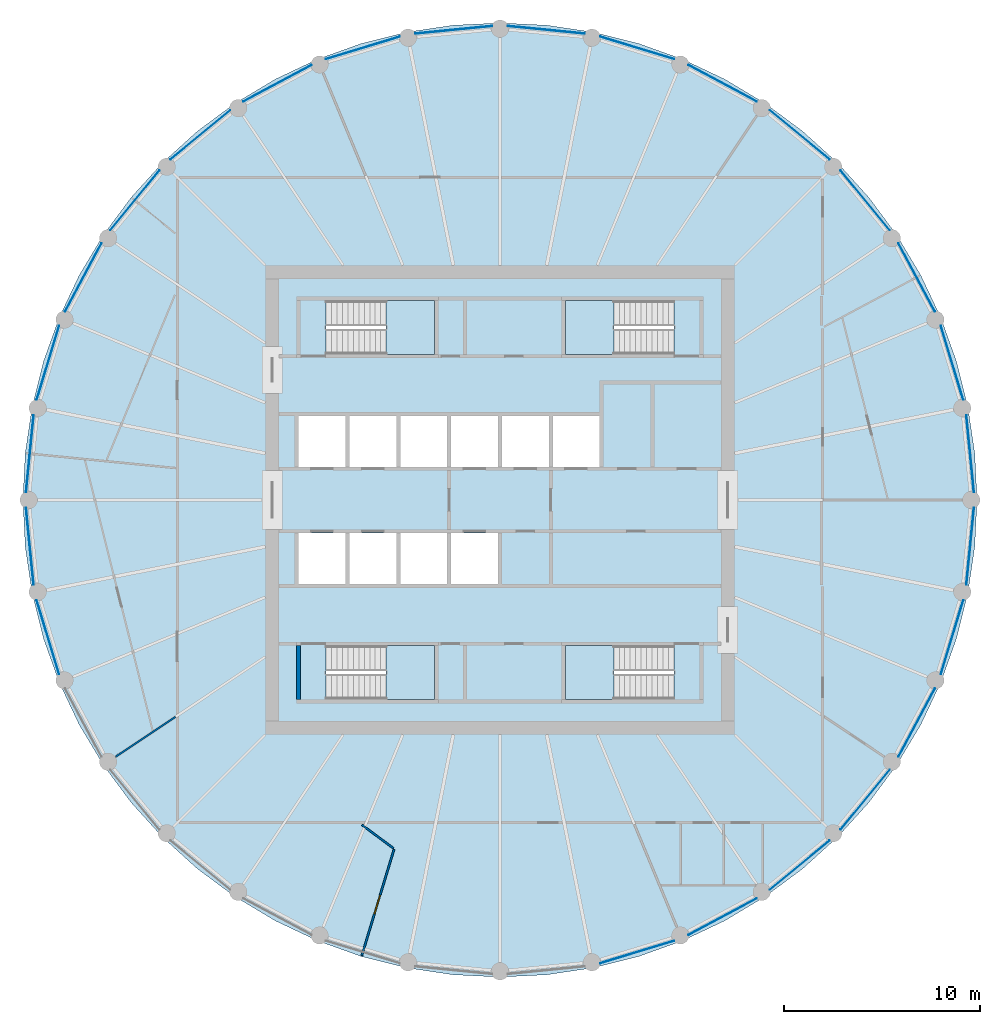
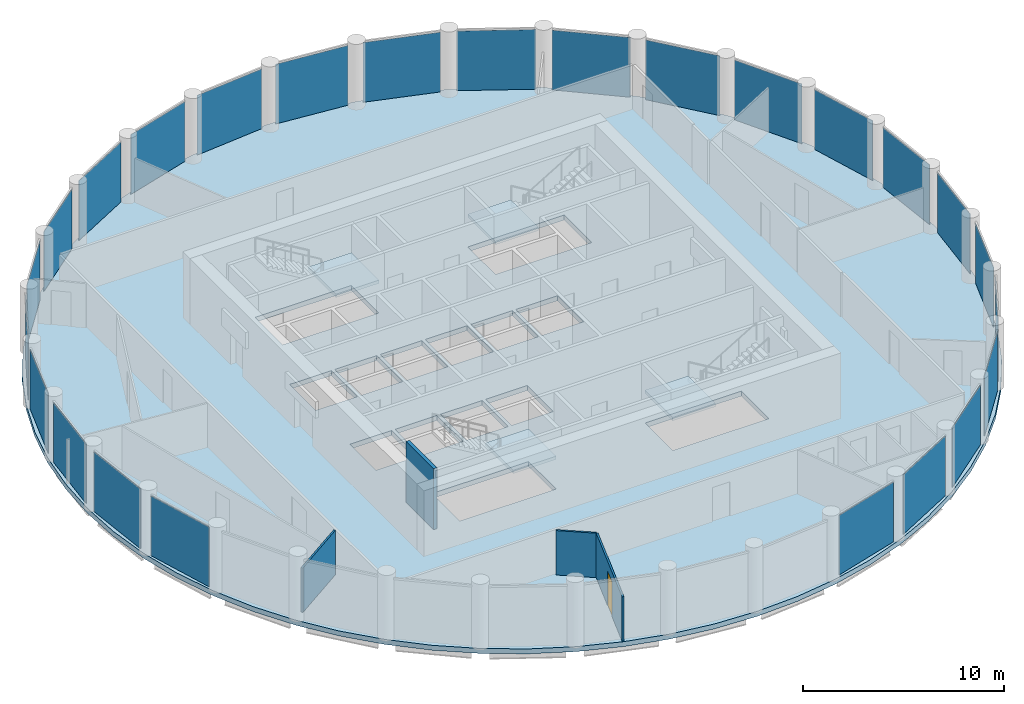
# One storey, part 3 of 7: 25 plates, 5 slabs, 4 walls, 1 door, 1 opening, 29 elements without a shape of their own.
"""IFC4 building model written with IfcOpenShell, lengths in metres."""

from ifc_helpers import new_model, si_unit, direction, frame, frame_2d, origin, origin_2d, place, context, subcontext, project, spatial, polyline, rectangle, outline, extrude, material, layer, layer_set, type_object, element, fill, aggregate, save


model = new_model("IFC4")

# Units and contexts
model_context = context("Model", 3, precision=1e-05, world=origin(), true_north=direction((0.0, 1.0)))
body_context = subcontext(model_context, "Body", "Model", "MODEL_VIEW")
ifc_project = project(units=[si_unit("LENGTHUNIT", "METRE"), si_unit("AREAUNIT", "SQUARE_METRE"), si_unit("VOLUMEUNIT", "CUBIC_METRE"), si_unit("PLANEANGLEUNIT", "RADIAN"), si_unit("MASSUNIT", "GRAM", prefix="KILO")], contexts=[model_context])

# Site, building, storey
site_placement = place(None, origin())
site = spatial("IfcSite", under=ifc_project, at=site_placement, CompositionType="ELEMENT")
building_placement = place(site_placement, origin())
building = spatial("IfcBuilding", under=site, at=building_placement, Name="Corvane Civic Tower", CompositionType="ELEMENT")
storey_placement = place(building_placement, frame((0.0, 0.0, 275.0)))
storey = spatial("IfcBuildingStorey", under=building, at=storey_placement, Name="L65", CompositionType="ELEMENT", Elevation=275.0)

# Slab
ifc_material_1 = material(Name="Concrete C40/50", Category="concrete")
ifc_layer_1 = layer(ifc_material_1, 0.300048828125)
ifc_layer_set_1 = layer_set([ifc_layer_1], Name="Concrete C40/50")
slab_type_1 = type_object("IfcSlabType", Name="FLOOR SLAB 300", PredefinedType="FLOOR", material=ifc_layer_set_1)
slab_1_placement = place(storey_placement, frame((0.0, 0.0, -0.300048828125)))
element("IfcSlab", 1, at=slab_1_placement, inside=storey, type_object=slab_type_1, Name="SLB-L65", PredefinedType="FLOOR", context=body_context, shape_type="SweptSolid", body=[
    extrude(outline(polyline([(0.0, 24.39990234375), (-2.3916015625, 24.282470703125), (-4.76025390625, 23.93115234375), (-7.0830078125, 23.349365234375), (-9.33740234375, 22.542724609375), (-11.502197265625, 21.518798828125), (-13.555908203125, 20.287841796875), (-15.479248046875, 18.861572265625), (-17.25341796875, 17.25341796875), (-18.861572265625, 15.479248046875), (-20.287841796875, 13.555908203125), (-21.518798828125, 11.502197265625), (-22.542724609375, 9.33740234375), (-23.349365234375, 7.0830078125), (-23.93115234375, 4.76025390625), (-24.282470703125, 2.3916015625), (-24.39990234375, 0.0), (-24.282470703125, -2.3916015625), (-23.93115234375, -4.76025390625), (-23.349365234375, -7.0830078125), (-22.542724609375, -9.33740234375), (-21.518798828125, -11.502197265625), (-20.287841796875, -13.555908203125), (-18.861572265625, -15.479248046875), (-17.25341796875, -17.25341796875), (-15.479248046875, -18.861572265625), (-13.555908203125, -20.287841796875), (-11.502197265625, -21.518798828125), (-9.33740234375, -22.542724609375), (-7.0830078125, -23.349365234375), (-4.76025390625, -23.93115234375), (-2.3916015625, -24.282470703125), (0.0, -24.39990234375), (2.3916015625, -24.282470703125), (4.76025390625, -23.93115234375), (7.0830078125, -23.349365234375), (9.33740234375, -22.542724609375), (11.502197265625, -21.518798828125), (13.555908203125, -20.287841796875), (15.479248046875, -18.861572265625), (17.25341796875, -17.25341796875), (18.861572265625, -15.479248046875), (20.287841796875, -13.555908203125), (21.518798828125, -11.502197265625), (22.542724609375, -9.33740234375), (23.349365234375, -7.0830078125), (23.93115234375, -4.76025390625), (24.282470703125, -2.3916015625), (24.39990234375, 0.0), (24.282470703125, 2.3916015625), (23.93115234375, 4.76025390625), (23.349365234375, 7.0830078125), (22.542724609375, 9.33740234375), (21.518798828125, 11.502197265625), (20.287841796875, 13.555908203125), (18.861572265625, 15.479248046875), (17.25341796875, 17.25341796875), (15.479248046875, 18.861572265625), (13.555908203125, 20.287841796875), (11.502197265625, 21.518798828125), (9.33740234375, 22.542724609375), (7.0830078125, 23.349365234375), (4.76025390625, 23.93115234375), (2.3916015625, 24.282470703125), (0.0, 24.39990234375)]), holes=[polyline([(-7.89990234375, 1.699951171875), (-10.300048828125, 1.699951171875), (-10.300048828125, 4.300048828125), (-7.89990234375, 4.300048828125), (-7.89990234375, 1.699951171875)]), polyline([(-5.300048828125, 1.699951171875), (-7.699951171875, 1.699951171875), (-7.699951171875, 4.300048828125), (-5.300048828125, 4.300048828125), (-5.300048828125, 1.699951171875)]), polyline([(-2.699951171875, 4.300048828125), (-2.699951171875, 1.699951171875), (-5.10009765625, 1.699951171875), (-5.10009765625, 4.300048828125), (-2.699951171875, 4.300048828125)]), polyline([(-0.10009765625, 4.300048828125), (-0.10009765625, 1.699951171875), (-2.5, 1.699951171875), (-2.5, 4.300048828125), (-0.10009765625, 4.300048828125)]), polyline([(2.5, 4.300048828125), (2.5, 1.699951171875), (0.10009765625, 1.699951171875), (0.10009765625, 4.300048828125), (2.5, 4.300048828125)]), polyline([(5.10009765625, 4.300048828125), (5.10009765625, 1.699951171875), (2.699951171875, 1.699951171875), (2.699951171875, 4.300048828125), (5.10009765625, 4.300048828125)]), polyline([(-10.300048828125, -4.300048828125), (-10.300048828125, -1.699951171875), (-7.89990234375, -1.699951171875), (-7.89990234375, -4.300048828125), (-10.300048828125, -4.300048828125)]), polyline([(-7.699951171875, -4.300048828125), (-7.699951171875, -1.699951171875), (-5.300048828125, -1.699951171875), (-5.300048828125, -4.300048828125), (-7.699951171875, -4.300048828125)]), polyline([(-2.699951171875, -1.699951171875), (-2.699951171875, -4.300048828125), (-5.10009765625, -4.300048828125), (-5.10009765625, -1.699951171875), (-2.699951171875, -1.699951171875)]), polyline([(-2.5, -4.300048828125), (-2.5, -1.699951171875), (-0.10009765625, -1.699951171875), (-0.10009765625, -4.300048828125), (-2.5, -4.300048828125)]), polyline([(8.889892578125, 10.199951171875), (8.889892578125, 7.449951171875), (3.35009765625, 7.449951171875), (3.35009765625, 10.199951171875), (8.889892578125, 10.199951171875)]), polyline([(-8.889892578125, 7.449951171875), (-8.889892578125, 10.199951171875), (-3.35009765625, 10.199951171875), (-3.35009765625, 7.449951171875), (-8.889892578125, 7.449951171875)]), polyline([(8.889892578125, -7.449951171875), (8.889892578125, -10.199951171875), (3.35009765625, -10.199951171875), (3.35009765625, -7.449951171875), (8.889892578125, -7.449951171875)]), polyline([(-8.889892578125, -10.199951171875), (-8.889892578125, -7.449951171875), (-3.35009765625, -7.449951171875), (-3.35009765625, -10.199951171875), (-8.889892578125, -10.199951171875)])]), origin(), (0.0, 0.0, 1.0), 0.300048828125),
])

# Stair, slab
ifc_material_2 = material(Name="Concrete C40/50", Category="concrete")
stair_type = type_object("IfcStairType", Name="ST-STAIR-HALFTURN", PredefinedType="HALF_TURN_STAIR", material=ifc_material_2)
stair_1_placement = place(storey_placement, origin())
stair_1 = element("IfcStair", 2, at=stair_1_placement, inside=storey, type_object=stair_type, Name="L65 Exit stair ST1", PredefinedType="HALF_TURN_STAIR")
ifc_material_3 = material(Name="Concrete C40/50", Category="concrete")
ifc_layer_2 = layer(ifc_material_3, 0.199951171875)
ifc_layer_set_2 = layer_set([ifc_layer_2], Name="Concrete C40/50")
slab_type_2 = type_object("IfcSlabType", Name="ST-LANDING-RC", PredefinedType="LANDING", material=ifc_layer_set_2)
slab_2_placement = place(storey_placement, frame((0.0, 0.0, 1.800048828125)))
slab_2 = element("IfcSlab", 3, at=slab_2_placement, type_object=slab_type_2, Name="ST1 landing 1", PredefinedType="LANDING", context=body_context, shape_type="SweptSolid", body=[
    extrude(outline(polyline([(5.820068359375, 10.199951171875), (3.35009765625, 10.199951171875), (3.35009765625, 7.449951171875), (5.820068359375, 7.449951171875), (5.820068359375, 10.199951171875)])), origin(), (0.0, 0.0, 1.0), 0.199951171875),
])
aggregate(stair_1, [slab_2])

stair_2_placement = place(storey_placement, origin())
stair_2 = element("IfcStair", 4, at=stair_2_placement, inside=storey, type_object=stair_type, Name="L65 Exit stair ST2", PredefinedType="HALF_TURN_STAIR")
slab_3_placement = place(storey_placement, frame((0.0, 0.0, 1.800048828125)))
slab_3 = element("IfcSlab", 5, at=slab_3_placement, type_object=slab_type_2, Name="ST2 landing 1", PredefinedType="LANDING", context=body_context, shape_type="SweptSolid", body=[
    extrude(outline(polyline([(5.820068359375, -7.449951171875), (3.35009765625, -7.449951171875), (3.35009765625, -10.199951171875), (5.820068359375, -10.199951171875), (5.820068359375, -7.449951171875)])), origin(), (0.0, 0.0, 1.0), 0.199951171875),
])
aggregate(stair_2, [slab_3])

stair_3_placement = place(storey_placement, origin())
stair_3 = element("IfcStair", 6, at=stair_3_placement, inside=storey, type_object=stair_type, Name="L65 Exit stair ST3", PredefinedType="HALF_TURN_STAIR")
slab_4_placement = place(storey_placement, frame((0.0, 0.0, 1.800048828125)))
slab_4 = element("IfcSlab", 7, at=slab_4_placement, type_object=slab_type_2, Name="ST3 landing 1", PredefinedType="LANDING", context=body_context, shape_type="SweptSolid", body=[
    extrude(outline(polyline([(-5.820068359375, -10.199951171875), (-3.35009765625, -10.199951171875), (-3.35009765625, -7.449951171875), (-5.820068359375, -7.449951171875), (-5.820068359375, -10.199951171875)])), origin(), (0.0, 0.0, 1.0), 0.199951171875),
])
aggregate(stair_3, [slab_4])

stair_4_placement = place(storey_placement, origin())
stair_4 = element("IfcStair", 8, at=stair_4_placement, inside=storey, type_object=stair_type, Name="L65 Exit stair ST4", PredefinedType="HALF_TURN_STAIR")
slab_5_placement = place(storey_placement, frame((0.0, 0.0, 1.800048828125)))
slab_5 = element("IfcSlab", 9, at=slab_5_placement, type_object=slab_type_2, Name="ST4 landing 1", PredefinedType="LANDING", context=body_context, shape_type="SweptSolid", body=[
    extrude(outline(polyline([(-5.820068359375, 7.449951171875), (-3.35009765625, 7.449951171875), (-3.35009765625, 10.199951171875), (-5.820068359375, 10.199951171875), (-5.820068359375, 7.449951171875)])), origin(), (0.0, 0.0, 1.0), 0.199951171875),
])
aggregate(stair_4, [slab_5])

# Curtain wall, plate
ifc_material_4 = material(Name="Anodised aluminium bronze", Category="aluminium")
curtain_wall_type = type_object("IfcCurtainWallType", Name="TOWER CW-T3 STICK CURTAIN WALL", PredefinedType="NOTDEFINED", material=ifc_material_4)
curtain_wall_1_placement = place(storey_placement, origin())
curtain_wall_1 = element("IfcCurtainWall", 10, at=curtain_wall_1_placement, inside=storey, type_object=curtain_wall_type, Name="Curtain wall CW-T3 L65 bay 01", PredefinedType="NOTDEFINED")
ifc_material_5 = material(Name="Tinted glass", Category="glass")
ifc_layer_3 = layer(ifc_material_5, 0.028076171875)
ifc_layer_set_3 = layer_set([ifc_layer_3], Name="Tinted glass")
plate_type = type_object("IfcPlateType", Name="TOWER CW-T3 PANEL IGU28", PredefinedType="CURTAIN_PANEL", material=ifc_layer_set_3)
plate_1_placement = place(storey_placement, frame((2.368408203125, 24.046875, 0.0), z_axis=(0.0, 0.0, 1.0), x_axis=(0.99518437747, -0.098020685775, 0.0)))
plate_1 = element("IfcPlate", 11, at=plate_1_placement, type_object=plate_type, Name="Glass panel CW-T3 L65 01.1", PredefinedType="CURTAIN_PANEL", context=body_context, shape_type="SweptSolid", body=[
    extrude(rectangle(XDim=3.958740234375, YDim=0.028076171875, at=origin_2d()), origin(), (0.0, 0.0, 1.0), 3.6298828125),
])
aggregate(curtain_wall_1, [plate_1])

curtain_wall_2_placement = place(storey_placement, origin())
curtain_wall_2 = element("IfcCurtainWall", 12, at=curtain_wall_2_placement, inside=storey, type_object=curtain_wall_type, Name="Curtain wall CW-T3 L65 bay 02", PredefinedType="NOTDEFINED")
plate_2_placement = place(storey_placement, frame((7.01416015625, 23.12255859375, 0.0), z_axis=(0.0, 0.0, 1.0), x_axis=(0.956943694519, -0.290273604586, 0.0)))
plate_2 = element("IfcPlate", 13, at=plate_2_placement, type_object=plate_type, Name="Glass panel CW-T3 L65 02.1", PredefinedType="CURTAIN_PANEL", context=body_context, shape_type="SweptSolid", body=[
    extrude(rectangle(XDim=3.958984375, YDim=0.028076171875, at=origin_2d()), origin(), (0.0, 0.0, 1.0), 3.6298828125),
])
aggregate(curtain_wall_2, [plate_2])

curtain_wall_3_placement = place(storey_placement, origin())
curtain_wall_3 = element("IfcCurtainWall", 14, at=curtain_wall_3_placement, inside=storey, type_object=curtain_wall_type, Name="Curtain wall CW-T3 L65 bay 03", PredefinedType="NOTDEFINED")
plate_3_placement = place(storey_placement, frame((11.390380859375, 21.31005859375, 0.0), z_axis=(0.0, 0.0, 1.0), x_axis=(0.881908138655, -0.471421292448, 0.0)))
plate_3 = element("IfcPlate", 15, at=plate_3_placement, type_object=plate_type, Name="Glass panel CW-T3 L65 03.1", PredefinedType="CURTAIN_PANEL", context=body_context, shape_type="SweptSolid", body=[
    extrude(rectangle(XDim=3.958740234375, YDim=0.028076171875, at=origin_2d()), origin(), (0.0, 0.0, 1.0), 3.6298828125),
])
aggregate(curtain_wall_3, [plate_3])

curtain_wall_4_placement = place(storey_placement, origin())
curtain_wall_4 = element("IfcCurtainWall", 16, at=curtain_wall_4_placement, inside=storey, type_object=curtain_wall_type, Name="Curtain wall CW-T3 L65 bay 04", PredefinedType="NOTDEFINED")
plate_4_placement = place(storey_placement, frame((15.328857421875, 18.67822265625, 0.0), z_axis=(0.0, 0.0, 1.0), x_axis=(0.773001130565, -0.634404643855, 0.0)))
plate_4 = element("IfcPlate", 17, at=plate_4_placement, type_object=plate_type, Name="Glass panel CW-T3 L65 04.1", PredefinedType="CURTAIN_PANEL", context=body_context, shape_type="SweptSolid", body=[
    extrude(rectangle(XDim=3.958740234375, YDim=0.028076171875, at=origin_2d()), origin(), (0.0, 0.0, 1.0), 3.6298828125),
])
aggregate(curtain_wall_4, [plate_4])

curtain_wall_5_placement = place(storey_placement, origin())
curtain_wall_5 = element("IfcCurtainWall", 18, at=curtain_wall_5_placement, inside=storey, type_object=curtain_wall_type, Name="Curtain wall CW-T3 L65 bay 05", PredefinedType="NOTDEFINED")
plate_5_placement = place(storey_placement, frame((18.67822265625, 15.328857421875, 0.0), z_axis=(0.0, 0.0, 1.0), x_axis=(0.634404643855, -0.773001130565, 0.0)))
plate_5 = element("IfcPlate", 19, at=plate_5_placement, type_object=plate_type, Name="Glass panel CW-T3 L65 05.1", PredefinedType="CURTAIN_PANEL", context=body_context, shape_type="SweptSolid", body=[
    extrude(rectangle(XDim=3.958740234375, YDim=0.028076171875, at=origin_2d()), origin(), (0.0, 0.0, 1.0), 3.6298828125),
])
aggregate(curtain_wall_5, [plate_5])

curtain_wall_6_placement = place(storey_placement, origin())
curtain_wall_6 = element("IfcCurtainWall", 20, at=curtain_wall_6_placement, inside=storey, type_object=curtain_wall_type, Name="Curtain wall CW-T3 L65 bay 06", PredefinedType="NOTDEFINED")
plate_6_placement = place(storey_placement, frame((21.31005859375, 11.390380859375, 0.0), z_axis=(0.0, 0.0, 1.0), x_axis=(0.471421292448, -0.881908138655, 0.0)))
plate_6 = element("IfcPlate", 21, at=plate_6_placement, type_object=plate_type, Name="Glass panel CW-T3 L65 06.1", PredefinedType="CURTAIN_PANEL", context=body_context, shape_type="SweptSolid", body=[
    extrude(rectangle(XDim=3.958740234375, YDim=0.028076171875, at=origin_2d()), origin(), (0.0, 0.0, 1.0), 3.6298828125),
])
aggregate(curtain_wall_6, [plate_6])

curtain_wall_7_placement = place(storey_placement, origin())
curtain_wall_7 = element("IfcCurtainWall", 22, at=curtain_wall_7_placement, inside=storey, type_object=curtain_wall_type, Name="Curtain wall CW-T3 L65 bay 07", PredefinedType="NOTDEFINED")
plate_7_placement = place(storey_placement, frame((23.12255859375, 7.01416015625, 0.0), z_axis=(0.0, 0.0, 1.0), x_axis=(0.290273604586, -0.956943694519, 0.0)))
plate_7 = element("IfcPlate", 23, at=plate_7_placement, type_object=plate_type, Name="Glass panel CW-T3 L65 07.1", PredefinedType="CURTAIN_PANEL", context=body_context, shape_type="SweptSolid", body=[
    extrude(rectangle(XDim=3.958984375, YDim=0.028076171875, at=origin_2d()), origin(), (0.0, 0.0, 1.0), 3.6298828125),
])
aggregate(curtain_wall_7, [plate_7])

curtain_wall_8_placement = place(storey_placement, origin())
curtain_wall_8 = element("IfcCurtainWall", 24, at=curtain_wall_8_placement, inside=storey, type_object=curtain_wall_type, Name="Curtain wall CW-T3 L65 bay 08", PredefinedType="NOTDEFINED")
plate_8_placement = place(storey_placement, frame((24.046875, 2.368408203125, 0.0), z_axis=(0.0, 0.0, 1.0), x_axis=(0.098020685775, -0.99518437747, 0.0)))
plate_8 = element("IfcPlate", 25, at=plate_8_placement, type_object=plate_type, Name="Glass panel CW-T3 L65 08.1", PredefinedType="CURTAIN_PANEL", context=body_context, shape_type="SweptSolid", body=[
    extrude(rectangle(XDim=3.958740234375, YDim=0.028076171875, at=origin_2d()), origin(), (0.0, 0.0, 1.0), 3.6298828125),
])
aggregate(curtain_wall_8, [plate_8])

curtain_wall_9_placement = place(storey_placement, origin())
curtain_wall_9 = element("IfcCurtainWall", 26, at=curtain_wall_9_placement, inside=storey, type_object=curtain_wall_type, Name="Curtain wall CW-T3 L65 bay 09", PredefinedType="NOTDEFINED")
plate_9_placement = place(storey_placement, frame((24.046875, -2.368408203125, 0.0), z_axis=(0.0, 0.0, 1.0), x_axis=(-0.098020685775, -0.99518437747, 0.0)))
plate_9 = element("IfcPlate", 27, at=plate_9_placement, type_object=plate_type, Name="Glass panel CW-T3 L65 09.1", PredefinedType="CURTAIN_PANEL", context=body_context, shape_type="SweptSolid", body=[
    extrude(rectangle(XDim=3.958740234375, YDim=0.028076171875, at=origin_2d()), origin(), (0.0, 0.0, 1.0), 3.6298828125),
])
aggregate(curtain_wall_9, [plate_9])

curtain_wall_10_placement = place(storey_placement, origin())
curtain_wall_10 = element("IfcCurtainWall", 28, at=curtain_wall_10_placement, inside=storey, type_object=curtain_wall_type, Name="Curtain wall CW-T3 L65 bay 10", PredefinedType="NOTDEFINED")
plate_10_placement = place(storey_placement, frame((23.12255859375, -7.01416015625, 0.0), z_axis=(0.0, 0.0, 1.0), x_axis=(-0.290273604586, -0.956943694519, 0.0)))
plate_10 = element("IfcPlate", 29, at=plate_10_placement, type_object=plate_type, Name="Glass panel CW-T3 L65 10.1", PredefinedType="CURTAIN_PANEL", context=body_context, shape_type="SweptSolid", body=[
    extrude(rectangle(XDim=3.958984375, YDim=0.028076171875, at=origin_2d()), origin(), (0.0, 0.0, 1.0), 3.6298828125),
])
aggregate(curtain_wall_10, [plate_10])

curtain_wall_11_placement = place(storey_placement, origin())
curtain_wall_11 = element("IfcCurtainWall", 30, at=curtain_wall_11_placement, inside=storey, type_object=curtain_wall_type, Name="Curtain wall CW-T3 L65 bay 11", PredefinedType="NOTDEFINED")
plate_11_placement = place(storey_placement, frame((21.31005859375, -11.390380859375, 0.0), z_axis=(0.0, 0.0, 1.0), x_axis=(-0.471421292448, -0.881908138655, 0.0)))
plate_11 = element("IfcPlate", 31, at=plate_11_placement, type_object=plate_type, Name="Glass panel CW-T3 L65 11.1", PredefinedType="CURTAIN_PANEL", context=body_context, shape_type="SweptSolid", body=[
    extrude(rectangle(XDim=3.958740234375, YDim=0.028076171875, at=origin_2d()), origin(), (0.0, 0.0, 1.0), 3.6298828125),
])
aggregate(curtain_wall_11, [plate_11])

curtain_wall_12_placement = place(storey_placement, origin())
curtain_wall_12 = element("IfcCurtainWall", 32, at=curtain_wall_12_placement, inside=storey, type_object=curtain_wall_type, Name="Curtain wall CW-T3 L65 bay 12", PredefinedType="NOTDEFINED")
plate_12_placement = place(storey_placement, frame((18.67822265625, -15.328857421875, 0.0), z_axis=(0.0, 0.0, 1.0), x_axis=(-0.634404643855, -0.773001130565, 0.0)))
plate_12 = element("IfcPlate", 33, at=plate_12_placement, type_object=plate_type, Name="Glass panel CW-T3 L65 12.1", PredefinedType="CURTAIN_PANEL", context=body_context, shape_type="SweptSolid", body=[
    extrude(rectangle(XDim=3.958740234375, YDim=0.028076171875, at=origin_2d()), origin(), (0.0, 0.0, 1.0), 3.6298828125),
])
aggregate(curtain_wall_12, [plate_12])

curtain_wall_13_placement = place(storey_placement, origin())
curtain_wall_13 = element("IfcCurtainWall", 34, at=curtain_wall_13_placement, inside=storey, type_object=curtain_wall_type, Name="Curtain wall CW-T3 L65 bay 13", PredefinedType="NOTDEFINED")
plate_13_placement = place(storey_placement, frame((15.328857421875, -18.67822265625, 0.0), z_axis=(0.0, 0.0, 1.0), x_axis=(-0.773001130565, -0.634404643855, 0.0)))
plate_13 = element("IfcPlate", 35, at=plate_13_placement, type_object=plate_type, Name="Glass panel CW-T3 L65 13.1", PredefinedType="CURTAIN_PANEL", context=body_context, shape_type="SweptSolid", body=[
    extrude(rectangle(XDim=3.958740234375, YDim=0.028076171875, at=origin_2d()), origin(), (0.0, 0.0, 1.0), 3.6298828125),
])
aggregate(curtain_wall_13, [plate_13])

curtain_wall_14_placement = place(storey_placement, origin())
curtain_wall_14 = element("IfcCurtainWall", 36, at=curtain_wall_14_placement, inside=storey, type_object=curtain_wall_type, Name="Curtain wall CW-T3 L65 bay 14", PredefinedType="NOTDEFINED")
plate_14_placement = place(storey_placement, frame((11.390380859375, -21.31005859375, 0.0), z_axis=(0.0, 0.0, 1.0), x_axis=(-0.881908138655, -0.471421292448, 0.0)))
plate_14 = element("IfcPlate", 37, at=plate_14_placement, type_object=plate_type, Name="Glass panel CW-T3 L65 14.1", PredefinedType="CURTAIN_PANEL", context=body_context, shape_type="SweptSolid", body=[
    extrude(rectangle(XDim=3.958740234375, YDim=0.028076171875, at=origin_2d()), origin(), (0.0, 0.0, 1.0), 3.6298828125),
])
aggregate(curtain_wall_14, [plate_14])

curtain_wall_15_placement = place(storey_placement, origin())
curtain_wall_15 = element("IfcCurtainWall", 38, at=curtain_wall_15_placement, inside=storey, type_object=curtain_wall_type, Name="Curtain wall CW-T3 L65 bay 15", PredefinedType="NOTDEFINED")
plate_15_placement = place(storey_placement, frame((7.01416015625, -23.12255859375, 0.0), z_axis=(0.0, 0.0, 1.0), x_axis=(-0.956943694519, -0.290273604586, 0.0)))
plate_15 = element("IfcPlate", 39, at=plate_15_placement, type_object=plate_type, Name="Glass panel CW-T3 L65 15.1", PredefinedType="CURTAIN_PANEL", context=body_context, shape_type="SweptSolid", body=[
    extrude(rectangle(XDim=3.958984375, YDim=0.028076171875, at=origin_2d()), origin(), (0.0, 0.0, 1.0), 3.6298828125),
])
aggregate(curtain_wall_15, [plate_15])

curtain_wall_16_placement = place(storey_placement, origin())
curtain_wall_16 = element("IfcCurtainWall", 40, at=curtain_wall_16_placement, inside=storey, type_object=curtain_wall_type, Name="Curtain wall CW-T3 L65 bay 23", PredefinedType="NOTDEFINED")
plate_16_placement = place(storey_placement, frame((-23.12255859375, -7.01416015625, 0.0), z_axis=(0.0, 0.0, 1.0), x_axis=(-0.290273604586, 0.956943694519, 0.0)))
plate_16 = element("IfcPlate", 41, at=plate_16_placement, type_object=plate_type, Name="Glass panel CW-T3 L65 23.1", PredefinedType="CURTAIN_PANEL", context=body_context, shape_type="SweptSolid", body=[
    extrude(rectangle(XDim=3.958984375, YDim=0.028076171875, at=origin_2d()), origin(), (0.0, 0.0, 1.0), 3.6298828125),
])
aggregate(curtain_wall_16, [plate_16])

curtain_wall_17_placement = place(storey_placement, origin())
curtain_wall_17 = element("IfcCurtainWall", 42, at=curtain_wall_17_placement, inside=storey, type_object=curtain_wall_type, Name="Curtain wall CW-T3 L65 bay 24", PredefinedType="NOTDEFINED")
plate_17_placement = place(storey_placement, frame((-24.046875, -2.368408203125, 0.0), z_axis=(0.0, 0.0, 1.0), x_axis=(-0.098020685775, 0.99518437747, 0.0)))
plate_17 = element("IfcPlate", 43, at=plate_17_placement, type_object=plate_type, Name="Glass panel CW-T3 L65 24.1", PredefinedType="CURTAIN_PANEL", context=body_context, shape_type="SweptSolid", body=[
    extrude(rectangle(XDim=3.958740234375, YDim=0.028076171875, at=origin_2d()), origin(), (0.0, 0.0, 1.0), 3.6298828125),
])
aggregate(curtain_wall_17, [plate_17])

curtain_wall_18_placement = place(storey_placement, origin())
curtain_wall_18 = element("IfcCurtainWall", 44, at=curtain_wall_18_placement, inside=storey, type_object=curtain_wall_type, Name="Curtain wall CW-T3 L65 bay 25", PredefinedType="NOTDEFINED")
plate_18_placement = place(storey_placement, frame((-24.046875, 2.368408203125, 0.0), z_axis=(0.0, 0.0, 1.0), x_axis=(0.098020685775, 0.99518437747, 0.0)))
plate_18 = element("IfcPlate", 45, at=plate_18_placement, type_object=plate_type, Name="Glass panel CW-T3 L65 25.1", PredefinedType="CURTAIN_PANEL", context=body_context, shape_type="SweptSolid", body=[
    extrude(rectangle(XDim=3.958740234375, YDim=0.028076171875, at=origin_2d()), origin(), (0.0, 0.0, 1.0), 3.6298828125),
])
aggregate(curtain_wall_18, [plate_18])

curtain_wall_19_placement = place(storey_placement, origin())
curtain_wall_19 = element("IfcCurtainWall", 46, at=curtain_wall_19_placement, inside=storey, type_object=curtain_wall_type, Name="Curtain wall CW-T3 L65 bay 26", PredefinedType="NOTDEFINED")
plate_19_placement = place(storey_placement, frame((-23.12255859375, 7.01416015625, 0.0), z_axis=(0.0, 0.0, 1.0), x_axis=(0.290273604586, 0.956943694519, 0.0)))
plate_19 = element("IfcPlate", 47, at=plate_19_placement, type_object=plate_type, Name="Glass panel CW-T3 L65 26.1", PredefinedType="CURTAIN_PANEL", context=body_context, shape_type="SweptSolid", body=[
    extrude(rectangle(XDim=3.958984375, YDim=0.028076171875, at=origin_2d()), origin(), (0.0, 0.0, 1.0), 3.6298828125),
])
aggregate(curtain_wall_19, [plate_19])

curtain_wall_20_placement = place(storey_placement, origin())
curtain_wall_20 = element("IfcCurtainWall", 48, at=curtain_wall_20_placement, inside=storey, type_object=curtain_wall_type, Name="Curtain wall CW-T3 L65 bay 27", PredefinedType="NOTDEFINED")
plate_20_placement = place(storey_placement, frame((-21.31005859375, 11.390380859375, 0.0), z_axis=(0.0, 0.0, 1.0), x_axis=(0.471421292448, 0.881908138655, 0.0)))
plate_20 = element("IfcPlate", 49, at=plate_20_placement, type_object=plate_type, Name="Glass panel CW-T3 L65 27.1", PredefinedType="CURTAIN_PANEL", context=body_context, shape_type="SweptSolid", body=[
    extrude(rectangle(XDim=3.958740234375, YDim=0.028076171875, at=origin_2d()), origin(), (0.0, 0.0, 1.0), 3.6298828125),
])
aggregate(curtain_wall_20, [plate_20])

curtain_wall_21_placement = place(storey_placement, origin())
curtain_wall_21 = element("IfcCurtainWall", 50, at=curtain_wall_21_placement, inside=storey, type_object=curtain_wall_type, Name="Curtain wall CW-T3 L65 bay 28", PredefinedType="NOTDEFINED")
plate_21_placement = place(storey_placement, frame((-18.67822265625, 15.328857421875, 0.0), z_axis=(0.0, 0.0, 1.0), x_axis=(0.634404643855, 0.773001130565, 0.0)))
plate_21 = element("IfcPlate", 51, at=plate_21_placement, type_object=plate_type, Name="Glass panel CW-T3 L65 28.1", PredefinedType="CURTAIN_PANEL", context=body_context, shape_type="SweptSolid", body=[
    extrude(rectangle(XDim=3.958740234375, YDim=0.028076171875, at=origin_2d()), origin(), (0.0, 0.0, 1.0), 3.6298828125),
])
aggregate(curtain_wall_21, [plate_21])

curtain_wall_22_placement = place(storey_placement, origin())
curtain_wall_22 = element("IfcCurtainWall", 52, at=curtain_wall_22_placement, inside=storey, type_object=curtain_wall_type, Name="Curtain wall CW-T3 L65 bay 29", PredefinedType="NOTDEFINED")
plate_22_placement = place(storey_placement, frame((-15.328857421875, 18.67822265625, 0.0), z_axis=(0.0, 0.0, 1.0), x_axis=(0.773001130565, 0.634404643855, 0.0)))
plate_22 = element("IfcPlate", 53, at=plate_22_placement, type_object=plate_type, Name="Glass panel CW-T3 L65 29.1", PredefinedType="CURTAIN_PANEL", context=body_context, shape_type="SweptSolid", body=[
    extrude(rectangle(XDim=3.958740234375, YDim=0.028076171875, at=origin_2d()), origin(), (0.0, 0.0, 1.0), 3.6298828125),
])
aggregate(curtain_wall_22, [plate_22])

curtain_wall_23_placement = place(storey_placement, origin())
curtain_wall_23 = element("IfcCurtainWall", 54, at=curtain_wall_23_placement, inside=storey, type_object=curtain_wall_type, Name="Curtain wall CW-T3 L65 bay 30", PredefinedType="NOTDEFINED")
plate_23_placement = place(storey_placement, frame((-11.390380859375, 21.31005859375, 0.0), z_axis=(0.0, 0.0, 1.0), x_axis=(0.881908138655, 0.471421292448, 0.0)))
plate_23 = element("IfcPlate", 55, at=plate_23_placement, type_object=plate_type, Name="Glass panel CW-T3 L65 30.1", PredefinedType="CURTAIN_PANEL", context=body_context, shape_type="SweptSolid", body=[
    extrude(rectangle(XDim=3.958740234375, YDim=0.028076171875, at=origin_2d()), origin(), (0.0, 0.0, 1.0), 3.6298828125),
])
aggregate(curtain_wall_23, [plate_23])

curtain_wall_24_placement = place(storey_placement, origin())
curtain_wall_24 = element("IfcCurtainWall", 56, at=curtain_wall_24_placement, inside=storey, type_object=curtain_wall_type, Name="Curtain wall CW-T3 L65 bay 31", PredefinedType="NOTDEFINED")
plate_24_placement = place(storey_placement, frame((-7.01416015625, 23.12255859375, 0.0), z_axis=(0.0, 0.0, 1.0), x_axis=(0.956943694519, 0.290273604586, 0.0)))
plate_24 = element("IfcPlate", 57, at=plate_24_placement, type_object=plate_type, Name="Glass panel CW-T3 L65 31.1", PredefinedType="CURTAIN_PANEL", context=body_context, shape_type="SweptSolid", body=[
    extrude(rectangle(XDim=3.958984375, YDim=0.028076171875, at=origin_2d()), origin(), (0.0, 0.0, 1.0), 3.6298828125),
])
aggregate(curtain_wall_24, [plate_24])

curtain_wall_25_placement = place(storey_placement, origin())
curtain_wall_25 = element("IfcCurtainWall", 58, at=curtain_wall_25_placement, inside=storey, type_object=curtain_wall_type, Name="Curtain wall CW-T3 L65 bay 32", PredefinedType="NOTDEFINED")
plate_25_placement = place(storey_placement, frame((-2.368408203125, 24.046875, 0.0), z_axis=(0.0, 0.0, 1.0), x_axis=(0.99518437747, 0.098020685775, 0.0)))
plate_25 = element("IfcPlate", 59, at=plate_25_placement, type_object=plate_type, Name="Glass panel CW-T3 L65 32.1", PredefinedType="CURTAIN_PANEL", context=body_context, shape_type="SweptSolid", body=[
    extrude(rectangle(XDim=3.958740234375, YDim=0.028076171875, at=origin_2d()), origin(), (0.0, 0.0, 1.0), 3.6298828125),
])
aggregate(curtain_wall_25, [plate_25])

# Wall, opening, door
ifc_material_6 = material(Name="Plasterboard")
ifc_layer_4 = layer(ifc_material_6, 0.10009765625)
ifc_layer_set_4 = layer_set([ifc_layer_4], Name="Plasterboard")
wall_type_1 = type_object("IfcWallType", Name="Partition 100 plasterboard on studs", PredefinedType="PARTITIONING", material=ifc_layer_set_4)
wall_1_placement = place(storey_placement, frame((-7.068603515625, -23.3017578125, 0.0), z_axis=(0.0, 0.0, 1.0), x_axis=(0.290296497756, 0.956936749943, 0.0)))
wall_1 = element("IfcWall", 60, at=wall_1_placement, inside=storey, type_object=wall_type_1, Name="Partition L65.001", PredefinedType="PARTITIONING", context=body_context, shape_type="SweptSolid", body=[
    extrude(rectangle(XDim=5.671630859375, YDim=0.10009765625, at=frame_2d((2.8359375, 0.0))), origin(), (0.0, 0.0, 1.0), 2.699951171875),
])
opening_placement = place(wall_1_placement, frame((2.22705078125, 0.0, 0.0)))
opening = element("IfcOpeningElement", 61, at=opening_placement, cuts=wall_1, Name="Opening L65.016", PredefinedType="OPENING", context=body_context, shape_type="SweptSolid", body=[
    extrude(rectangle(XDim=1.0, YDim=2.10009765625, at=frame_2d((0.5, 1.050048828125))), frame((0.0, 0.06005859375, 0.0), z_axis=(0.0, -1.0, 0.0), x_axis=(1.0, 0.0, 0.0)), (0.0, 0.0, 1.0), 0.1201171875),
])
ifc_material_7 = material(Name="Timber", Category="wood")
door_type = type_object("IfcDoorType", Name="Single door 1000", OperationType="NOTDEFINED", PredefinedType="DOOR", material=ifc_material_7)
door_placement = place(opening_placement, origin())
door = element("IfcDoor", 62, at=door_placement, inside=storey, type_object=door_type, Name="Door L65.016", OperationType="SINGLE_SWING_LEFT", OverallHeight=2.10009765625, OverallWidth=1.0, PredefinedType="DOOR", context=body_context, shape_type="SweptSolid", body=[
    extrude(rectangle(XDim=1.0, YDim=2.10009765625, at=frame_2d((0.5, 1.050048828125))), frame((0.0, 0.02490234375, 0.0), z_axis=(0.0, -1.0, 0.0), x_axis=(1.0, 0.0, 0.0)), (0.0, 0.0, 1.0), 0.050048828125),
])
fill(opening, door)

# Walls
wall_2_placement = place(storey_placement, frame((-7.064208984375, -16.615234375, 0.0), z_axis=(0.0, 0.0, 1.0), x_axis=(0.803234074764, -0.595663513351, 0.0)))
element("IfcWall", 63, at=wall_2_placement, inside=storey, type_object=wall_type_1, Name="Partition L65.007", PredefinedType="PARTITIONING", context=body_context, shape_type="SweptSolid", body=[
    extrude(rectangle(XDim=2.02197265625, YDim=0.10009765625, at=frame_2d((1.010986328125, 0.0))), origin(), (0.0, 0.0, 1.0), 2.699951171875),
])
wall_3_placement = place(storey_placement, frame((-19.656005859375, -13.133544921875, 0.0), z_axis=(0.0, 0.0, 1.0), x_axis=(0.831477046095, 0.555559107402, 0.0)))
element("IfcWall", 64, at=wall_3_placement, inside=storey, type_object=wall_type_1, Name="Partition L65.011", PredefinedType="PARTITIONING", context=body_context, shape_type="SweptSolid", body=[
    extrude(rectangle(XDim=3.672119140625, YDim=0.10009765625, at=frame_2d((1.8359375, 0.0))), origin(), (0.0, 0.0, 1.0), 2.699951171875),
])
ifc_material_8 = material(Name="Concrete C50/60", Category="concrete")
ifc_layer_5 = layer(ifc_material_8, 0.199951171875)
ifc_layer_set_5 = layer_set([ifc_layer_5], Name="Concrete C50/60")
wall_type_2 = type_object("IfcWallType", Name="ST-WALL-200", PredefinedType="SHEAR", material=ifc_layer_set_5)
wall_4_placement = place(storey_placement, origin())
element("IfcWall", 65, at=wall_4_placement, inside=storey, type_object=wall_type_2, Name="L65 stair enclosure wall", PredefinedType="SHEAR", context=body_context, shape_type="SweptSolid", body=[
    extrude(outline(polyline([(-10.199951171875, -7.449951171875), (-10.199951171875, -10.199951171875), (-10.39990234375, -10.199951171875), (-10.39990234375, -7.449951171875), (-10.199951171875, -7.449951171875)])), origin(), (0.0, 0.0, 1.0), 3.699951171875),
])

save(model, "model.ifc")
